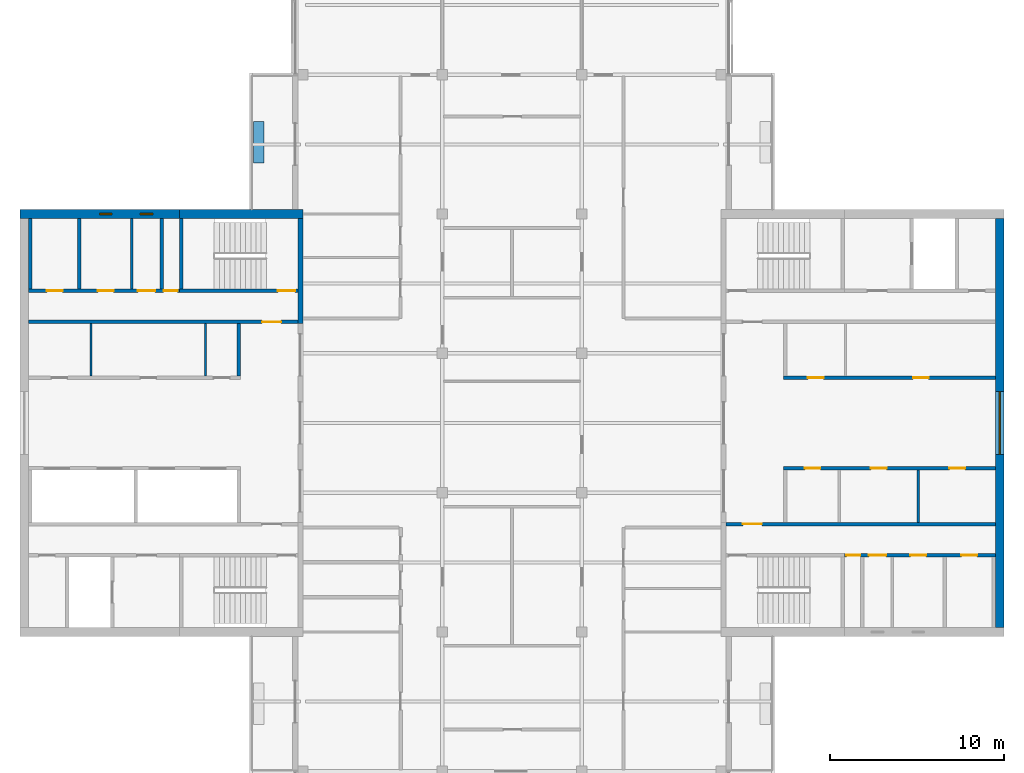
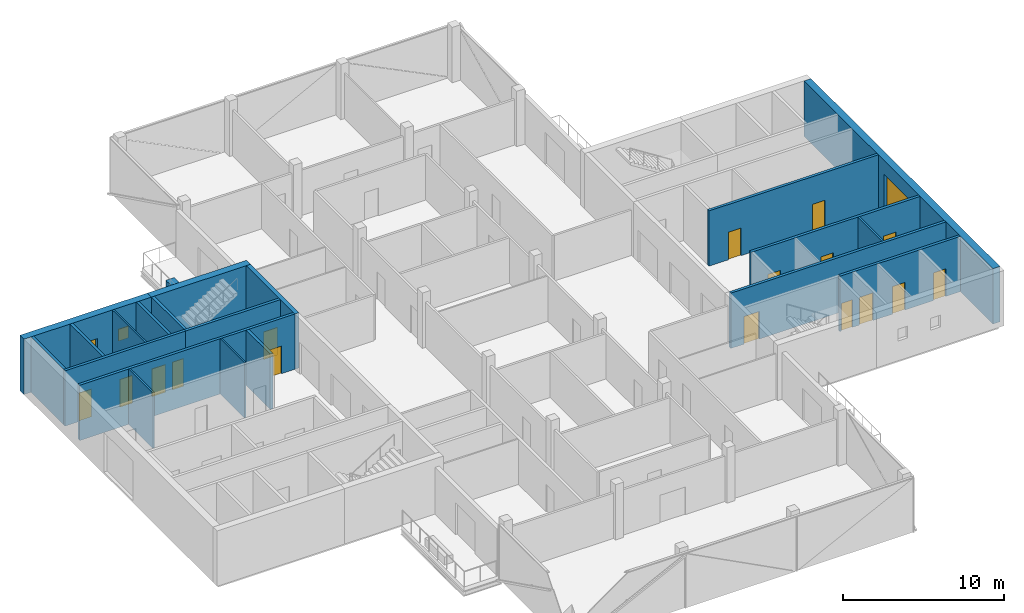
# One storey, part 7 of 12: 21 walls, 16 doors, 3 windows, 19 openings.
"""IFC4 building model written with IfcOpenShell, lengths in metres."""

from ifc_helpers import new_model, si_unit, direction, frame, frame_2d, origin, place, context, subcontext, project, spatial, rectangle, extrude, material, layer, layer_set, constituent, constituent_set, type_object, element, fill, save


model = new_model("IFC4")

# Units and contexts
model_context = context("Model", 3, precision=1e-05, world=origin(), true_north=direction((0.0, 1.0)))
body_context = subcontext(model_context, "Body", "Model", "MODEL_VIEW")
ifc_project = project(units=[si_unit("LENGTHUNIT", "METRE"), si_unit("AREAUNIT", "SQUARE_METRE"), si_unit("VOLUMEUNIT", "CUBIC_METRE"), si_unit("PLANEANGLEUNIT", "RADIAN"), si_unit("MASSUNIT", "GRAM", prefix="KILO")], contexts=[model_context])

# Site, building, storey
site_placement = place(None, origin())
site = spatial("IfcSite", under=ifc_project, at=site_placement, CompositionType="ELEMENT")
building_placement = place(site_placement, origin())
building = spatial("IfcBuilding", under=site, at=building_placement, Name="Crosswind Convention Tower", CompositionType="ELEMENT")
storey_placement = place(building_placement, frame((0.0, 0.0, 311.300048828125)))
storey = spatial("IfcBuildingStorey", under=building, at=storey_placement, Name="L67", CompositionType="ELEMENT", Elevation=311.300048828125)

# Walls
ifc_material_1 = material(Name="Concrete blockwork", Category="masonry")
ifc_layer_1 = layer(ifc_material_1, 0.199951171875)
ifc_layer_set_1 = layer_set([ifc_layer_1], Name="Blockwork partition wall 200")
wall_type_1 = type_object("IfcWallType", Name="Blockwork partition wall 200", PredefinedType="PARTITIONING", material=ifc_layer_set_1)
wall_1_placement = place(storey_placement, frame((104.89990234375, 111.75, 0.0), z_axis=(0.0, 0.0, 1.0), x_axis=(0.0, -1.0, 0.0)))
element("IfcWall", 1, at=wall_1_placement, inside=storey, type_object=wall_type_1, Name="Wall MRSE W L67", PredefinedType="PARTITIONING", context=body_context, shape_type="SweptSolid", body=[
    extrude(rectangle(XDim=4.050048828125, YDim=0.199951171875, at=frame_2d((2.02490234375, 0.0))), origin(), (0.0, 0.0, 1.0), 4.199951171875),
])
ifc_material_2 = material(Name="Concrete C50/60", Category="concrete")
ifc_layer_2 = layer(ifc_material_2, 0.300048828125)
ifc_layer_set_2 = layer_set([ifc_layer_2], Name="Concrete C50/60")
wall_type_2 = type_object("IfcWallType", Name="Concrete inner core wall 300", PredefinedType="SHEAR", material=ifc_layer_set_2)
wall_2_placement = place(storey_placement, frame((112.85009765625, 111.75, 0.0), z_axis=(0.0, 0.0, 1.0), x_axis=(0.0, -1.0, 0.0)))
element("IfcWall", 2, at=wall_2_placement, inside=storey, type_object=wall_type_2, Name="Wall EM W L67", PredefinedType="SHEAR", context=body_context, shape_type="SweptSolid", body=[
    extrude(rectangle(XDim=6.050048828125, YDim=0.300048828125, at=frame_2d((3.02490234375, 0.0))), origin(), (0.0, 0.0, 1.0), 4.199951171875),
])

# Wall, openings, doors
ifc_layer_3 = layer(ifc_material_2, 0.199951171875)
ifc_layer_set_3 = layer_set([ifc_layer_3], Name="Concrete C50/60")
wall_type_3 = type_object("IfcWallType", Name="Concrete shaft and stair wall 200", PredefinedType="SHEAR", material=ifc_layer_set_3)
wall_3_placement = place(storey_placement, frame((140.60009765625, 102.60009765625, 0.0), z_axis=(0.0, 0.0, 1.0), x_axis=(1.0, 0.0, 0.0)))
wall_3 = element("IfcWall", 3, at=wall_3_placement, inside=storey, type_object=wall_type_3, Name="Wall RPFRONT E L67", PredefinedType="SHEAR", context=body_context, shape_type="SweptSolid", body=[
    extrude(rectangle(XDim=12.14990234375, YDim=0.199951171875, at=frame_2d((6.074951171875, 0.0))), origin(), (0.0, 0.0, 1.0), 4.199951171875),
])
opening_1_placement = place(wall_3_placement, frame((1.391845703125, 0.0, 0.0)))
opening_1 = element("IfcOpeningElement", 4, at=opening_1_placement, cuts=wall_3, Name="Opening D106", PredefinedType="OPENING", context=body_context, shape_type="SweptSolid", body=[
    extrude(rectangle(XDim=0.89990234375, YDim=2.10009765625, at=frame_2d((0.449951171875, 1.050048828125))), frame((0.0, 0.10986328125, 0.0), z_axis=(0.0, -1.0, 0.0), x_axis=(1.0, 0.0, 0.0)), (0.0, 0.0, 1.0), 0.219970703125),
])
opening_2_placement = place(wall_3_placement, frame((7.42919921875, 0.0, 0.0)))
opening_2 = element("IfcOpeningElement", 5, at=opening_2_placement, cuts=wall_3, Name="Opening D106", PredefinedType="OPENING", context=body_context, shape_type="SweptSolid", body=[
    extrude(rectangle(XDim=0.89990234375, YDim=2.10009765625, at=frame_2d((0.449951171875, 1.050048828125))), frame((0.0, 0.10986328125, 0.0), z_axis=(0.0, -1.0, 0.0), x_axis=(1.0, 0.0, 0.0)), (0.0, 0.0, 1.0), 0.219970703125),
])
ifc_material_3 = material(Name="Timber door", Category="wood")
door_type_1 = type_object("IfcDoorType", Name="Single leaf door 900x2100", OperationType="NOTDEFINED", PredefinedType="DOOR", material=ifc_material_3)
door_1_placement = place(opening_1_placement, origin())
door_1 = element("IfcDoor", 6, at=door_1_placement, inside=storey, type_object=door_type_1, Name="Door to tenant services room L67", ObjectType="D106", OperationType="SINGLE_SWING_RIGHT", OverallHeight=2.10009765625, OverallWidth=0.89990234375, PredefinedType="DOOR", context=body_context, shape_type="SweptSolid", body=[
    extrude(rectangle(XDim=0.89990234375, YDim=2.10009765625, at=frame_2d((0.449951171875, 1.050048828125))), frame((0.0, 0.02490234375, 0.0), z_axis=(0.0, -1.0, 0.0), x_axis=(1.0, 0.0, 0.0)), (0.0, 0.0, 1.0), 0.050048828125),
])
fill(opening_1, door_1)
door_2_placement = place(opening_2_placement, origin())
door_2 = element("IfcDoor", 7, at=door_2_placement, inside=storey, type_object=door_type_1, Name="Door to copy and print room L67", ObjectType="D106", OperationType="SINGLE_SWING_RIGHT", OverallHeight=2.10009765625, OverallWidth=0.89990234375, PredefinedType="DOOR", context=body_context, shape_type="SweptSolid", body=[
    extrude(rectangle(XDim=0.89990234375, YDim=2.10009765625, at=frame_2d((0.449951171875, 1.050048828125))), frame((0.0, 0.02490234375, 0.0), z_axis=(0.0, -1.0, 0.0), x_axis=(1.0, 0.0, 0.0)), (0.0, 0.0, 1.0), 0.050048828125),
])
fill(opening_2, door_2)

wall_4_placement = place(storey_placement, frame((140.60009765625, 97.39990234375, 0.0), z_axis=(0.0, 0.0, 1.0), x_axis=(1.0, 0.0, 0.0)))
wall_4 = element("IfcWall", 8, at=wall_4_placement, inside=storey, type_object=wall_type_3, Name="Wall RMFRONT E L67", PredefinedType="SHEAR", context=body_context, shape_type="SweptSolid", body=[
    extrude(rectangle(XDim=12.14990234375, YDim=0.199951171875, at=frame_2d((6.074951171875, 0.0))), origin(), (0.0, 0.0, 1.0), 4.199951171875),
])
opening_3_placement = place(wall_4_placement, frame((1.21240234375, 0.0, 0.0)))
opening_3 = element("IfcOpeningElement", 9, at=opening_3_placement, cuts=wall_4, Name="Opening D106", PredefinedType="OPENING", context=body_context, shape_type="SweptSolid", body=[
    extrude(rectangle(XDim=0.89990234375, YDim=2.10009765625, at=frame_2d((0.449951171875, 1.050048828125))), frame((0.0, 0.10986328125, 0.0), z_axis=(0.0, -1.0, 0.0), x_axis=(1.0, 0.0, 0.0)), (0.0, 0.0, 1.0), 0.219970703125),
])
opening_4_placement = place(wall_4_placement, frame((5.008056640625, 0.0, 0.0)))
opening_4 = element("IfcOpeningElement", 10, at=opening_4_placement, cuts=wall_4, Name="Opening D106", PredefinedType="OPENING", context=body_context, shape_type="SweptSolid", body=[
    extrude(rectangle(XDim=0.89990234375, YDim=2.10009765625, at=frame_2d((0.449951171875, 1.050048828125))), frame((0.0, 0.10986328125, 0.0), z_axis=(0.0, -1.0, 0.0), x_axis=(1.0, 0.0, 0.0)), (0.0, 0.0, 1.0), 0.219970703125),
])
opening_5_placement = place(wall_4_placement, frame((9.5205078125, 0.0, 0.0)))
opening_5 = element("IfcOpeningElement", 11, at=opening_5_placement, cuts=wall_4, Name="Opening D106", PredefinedType="OPENING", context=body_context, shape_type="SweptSolid", body=[
    extrude(rectangle(XDim=0.89990234375, YDim=2.10009765625, at=frame_2d((0.449951171875, 1.050048828125))), frame((0.0, 0.10986328125, 0.0), z_axis=(0.0, -1.0, 0.0), x_axis=(1.0, 0.0, 0.0)), (0.0, 0.0, 1.0), 0.219970703125),
])
door_3_placement = place(opening_3_placement, frame((0.89990234375, 0.0, 0.0), z_axis=(0.0, 0.0, 1.0), x_axis=(-1.0, 0.0, 0.0)))
door_3 = element("IfcDoor", 12, at=door_3_placement, inside=storey, type_object=door_type_1, Name="Door to copy and print room L67", ObjectType="D106", OperationType="SINGLE_SWING_LEFT", OverallHeight=2.10009765625, OverallWidth=0.89990234375, PredefinedType="DOOR", context=body_context, shape_type="SweptSolid", body=[
    extrude(rectangle(XDim=0.89990234375, YDim=2.10009765625, at=frame_2d((0.449951171875, 1.050048828125))), frame((0.0, 0.02490234375, 0.0), z_axis=(0.0, -1.0, 0.0), x_axis=(1.0, 0.0, 0.0)), (0.0, 0.0, 1.0), 0.050048828125),
])
fill(opening_3, door_3)
door_4_placement = place(opening_4_placement, frame((0.89990234375, 0.0, 0.0), z_axis=(0.0, 0.0, 1.0), x_axis=(-1.0, 0.0, 0.0)))
door_4 = element("IfcDoor", 13, at=door_4_placement, inside=storey, type_object=door_type_1, Name="Door to meeting room L67", ObjectType="D106", OperationType="SINGLE_SWING_LEFT", OverallHeight=2.10009765625, OverallWidth=0.89990234375, PredefinedType="DOOR", context=body_context, shape_type="SweptSolid", body=[
    extrude(rectangle(XDim=0.89990234375, YDim=2.10009765625, at=frame_2d((0.449951171875, 1.050048828125))), frame((0.0, 0.02490234375, 0.0), z_axis=(0.0, -1.0, 0.0), x_axis=(1.0, 0.0, 0.0)), (0.0, 0.0, 1.0), 0.050048828125),
])
fill(opening_4, door_4)
door_5_placement = place(opening_5_placement, frame((0.89990234375, 0.0, 0.0), z_axis=(0.0, 0.0, 1.0), x_axis=(-1.0, 0.0, 0.0)))
door_5 = element("IfcDoor", 14, at=door_5_placement, inside=storey, type_object=door_type_1, Name="Door to pantry L67", ObjectType="D106", OperationType="SINGLE_SWING_LEFT", OverallHeight=2.10009765625, OverallWidth=0.89990234375, PredefinedType="DOOR", context=body_context, shape_type="SweptSolid", body=[
    extrude(rectangle(XDim=0.89990234375, YDim=2.10009765625, at=frame_2d((0.449951171875, 1.050048828125))), frame((0.0, 0.02490234375, 0.0), z_axis=(0.0, -1.0, 0.0), x_axis=(1.0, 0.0, 0.0)), (0.0, 0.0, 1.0), 0.050048828125),
])
fill(opening_5, door_5)

# Wall, opening, door
wall_5_placement = place(storey_placement, frame((137.300048828125, 94.199951171875, 0.0), z_axis=(0.0, 0.0, 1.0), x_axis=(1.0, 0.0, 0.0)))
wall_5 = element("IfcWall", 15, at=wall_5_placement, inside=storey, type_object=wall_type_3, Name="Wall HM E L67", PredefinedType="SHEAR", context=body_context, shape_type="SweptSolid", body=[
    extrude(rectangle(XDim=15.449951171875, YDim=0.199951171875, at=frame_2d((7.72509765625, 0.0))), origin(), (0.0, 0.0, 1.0), 4.199951171875),
])
opening_6_placement = place(wall_5_placement, frame((0.949951171875, 0.0, 0.0)))
opening_6 = element("IfcOpeningElement", 16, at=opening_6_placement, cuts=wall_5, Name="Opening D104", PredefinedType="OPENING", context=body_context, shape_type="SweptSolid", body=[
    extrude(rectangle(XDim=1.10009765625, YDim=2.10009765625, at=frame_2d((0.550048828125, 1.050048828125))), frame((0.0, 0.10986328125, 0.0), z_axis=(0.0, -1.0, 0.0), x_axis=(1.0, 0.0, 0.0)), (0.0, 0.0, 1.0), 0.219970703125),
])
ifc_material_4 = material(Name="Steel fire door", Category="steel")
door_type_2 = type_object("IfcDoorType", Name="Fire-rated single door 1100x2100", OperationType="NOTDEFINED", PredefinedType="DOOR", material=ifc_material_4)
door_6_placement = place(opening_6_placement, origin())
door_6 = element("IfcDoor", 17, at=door_6_placement, inside=storey, type_object=door_type_2, Name="Corridor door L67", ObjectType="D104", OperationType="SINGLE_SWING_LEFT", OverallHeight=2.10009765625, OverallWidth=1.10009765625, PredefinedType="DOOR", context=body_context, shape_type="SweptSolid", body=[
    extrude(rectangle(XDim=1.10009765625, YDim=2.10009765625, at=frame_2d((0.550048828125, 1.050048828125))), frame((0.0, 0.02490234375, 0.0), z_axis=(0.0, -1.0, 0.0), x_axis=(1.0, 0.0, 0.0)), (0.0, 0.0, 1.0), 0.050048828125),
])
fill(opening_6, door_6)

# Wall, openings, doors
wall_6_placement = place(storey_placement, frame((144.10009765625, 92.39990234375, 0.0), z_axis=(0.0, 0.0, 1.0), x_axis=(1.0, 0.0, 0.0)))
wall_6 = element("IfcWall", 18, at=wall_6_placement, inside=storey, type_object=wall_type_3, Name="Wall MCX E L67", PredefinedType="SHEAR", context=body_context, shape_type="SweptSolid", body=[
    extrude(rectangle(XDim=8.64990234375, YDim=0.199951171875, at=frame_2d((4.324951171875, 0.0))), origin(), (0.0, 0.0, 1.0), 4.199951171875),
])
opening_7_placement = place(wall_6_placement, frame((0.10009765625, 0.0, 0.0)))
opening_7 = element("IfcOpeningElement", 19, at=opening_7_placement, cuts=wall_6, Name="Opening D105", PredefinedType="OPENING", context=body_context, shape_type="SweptSolid", body=[
    extrude(rectangle(XDim=0.800048828125, YDim=2.10009765625, at=frame_2d((0.39990234375, 1.050048828125))), frame((0.0, 0.10986328125, 0.0), z_axis=(0.0, -1.0, 0.0), x_axis=(1.0, 0.0, 0.0)), (0.0, 0.0, 1.0), 0.219970703125),
])
opening_8_placement = place(wall_6_placement, frame((1.3876953125, 0.0, 0.0)))
opening_8 = element("IfcOpeningElement", 20, at=opening_8_placement, cuts=wall_6, Name="Opening D103", PredefinedType="OPENING", context=body_context, shape_type="SweptSolid", body=[
    extrude(rectangle(XDim=1.0, YDim=2.10009765625, at=frame_2d((0.5, 1.050048828125))), frame((0.0, 0.10986328125, 0.0), z_axis=(0.0, -1.0, 0.0), x_axis=(1.0, 0.0, 0.0)), (0.0, 0.0, 1.0), 0.219970703125),
])
opening_9_placement = place(wall_6_placement, frame((3.775146484375, 0.0, 0.0)))
opening_9 = element("IfcOpeningElement", 21, at=opening_9_placement, cuts=wall_6, Name="Opening D106", PredefinedType="OPENING", context=body_context, shape_type="SweptSolid", body=[
    extrude(rectangle(XDim=0.89990234375, YDim=2.10009765625, at=frame_2d((0.449951171875, 1.050048828125))), frame((0.0, 0.10986328125, 0.0), z_axis=(0.0, -1.0, 0.0), x_axis=(1.0, 0.0, 0.0)), (0.0, 0.0, 1.0), 0.219970703125),
])
opening_10_placement = place(wall_6_placement, frame((6.699951171875, 0.0, 0.0)))
opening_10 = element("IfcOpeningElement", 22, at=opening_10_placement, cuts=wall_6, Name="Opening D106", PredefinedType="OPENING", context=body_context, shape_type="SweptSolid", body=[
    extrude(rectangle(XDim=0.89990234375, YDim=2.10009765625, at=frame_2d((0.449951171875, 1.050048828125))), frame((0.0, 0.10986328125, 0.0), z_axis=(0.0, -1.0, 0.0), x_axis=(1.0, 0.0, 0.0)), (0.0, 0.0, 1.0), 0.219970703125),
])
door_type_3 = type_object("IfcDoorType", Name="Fire-rated single door 1000x2100", OperationType="NOTDEFINED", PredefinedType="DOOR", material=ifc_material_4)
door_7_placement = place(opening_8_placement, frame((1.0, 0.0, 0.0), z_axis=(0.0, 0.0, 1.0), x_axis=(-1.0, 0.0, 0.0)))
door_7 = element("IfcDoor", 23, at=door_7_placement, inside=storey, type_object=door_type_3, Name="Door to accessible wc L67", ObjectType="D103", OperationType="SINGLE_SWING_LEFT", OverallHeight=2.10009765625, OverallWidth=1.0, PredefinedType="DOOR", context=body_context, shape_type="SweptSolid", body=[
    extrude(rectangle(XDim=1.0, YDim=2.10009765625, at=frame_2d((0.5, 1.050048828125))), frame((0.0, 0.02490234375, 0.0), z_axis=(0.0, -1.0, 0.0), x_axis=(1.0, 0.0, 0.0)), (0.0, 0.0, 1.0), 0.050048828125),
])
fill(opening_8, door_7)
door_type_4 = type_object("IfcDoorType", Name="Riser access door 800x2100", OperationType="NOTDEFINED", PredefinedType="DOOR", material=ifc_material_4)
door_8_placement = place(opening_7_placement, frame((0.800048828125, 0.0, 0.0), z_axis=(0.0, 0.0, 1.0), x_axis=(-1.0, 0.0, 0.0)))
door_8 = element("IfcDoor", 24, at=door_8_placement, inside=storey, type_object=door_type_4, Name="Riser door L67", ObjectType="D105", OperationType="SINGLE_SWING_LEFT", OverallHeight=2.10009765625, OverallWidth=0.800048828125, PredefinedType="DOOR", context=body_context, shape_type="SweptSolid", body=[
    extrude(rectangle(XDim=0.800048828125, YDim=2.10009765625, at=frame_2d((0.39990234375, 1.050048828125))), frame((0.0, 0.02490234375, 0.0), z_axis=(0.0, -1.0, 0.0), x_axis=(1.0, 0.0, 0.0)), (0.0, 0.0, 1.0), 0.050048828125),
])
fill(opening_7, door_8)
door_9_placement = place(opening_9_placement, frame((0.89990234375, 0.0, 0.0), z_axis=(0.0, 0.0, 1.0), x_axis=(-1.0, 0.0, 0.0)))
door_9 = element("IfcDoor", 25, at=door_9_placement, inside=storey, type_object=door_type_1, Name="Door to wc L67", ObjectType="D106", OperationType="SINGLE_SWING_LEFT", OverallHeight=2.10009765625, OverallWidth=0.89990234375, PredefinedType="DOOR", context=body_context, shape_type="SweptSolid", body=[
    extrude(rectangle(XDim=0.89990234375, YDim=2.10009765625, at=frame_2d((0.449951171875, 1.050048828125))), frame((0.0, 0.02490234375, 0.0), z_axis=(0.0, -1.0, 0.0), x_axis=(1.0, 0.0, 0.0)), (0.0, 0.0, 1.0), 0.050048828125),
])
fill(opening_9, door_9)
door_10_placement = place(opening_10_placement, frame((0.89990234375, 0.0, 0.0), z_axis=(0.0, 0.0, 1.0), x_axis=(-1.0, 0.0, 0.0)))
door_10 = element("IfcDoor", 26, at=door_10_placement, inside=storey, type_object=door_type_1, Name="Door to wc L67", ObjectType="D106", OperationType="SINGLE_SWING_LEFT", OverallHeight=2.10009765625, OverallWidth=0.89990234375, PredefinedType="DOOR", context=body_context, shape_type="SweptSolid", body=[
    extrude(rectangle(XDim=0.89990234375, YDim=2.10009765625, at=frame_2d((0.449951171875, 1.050048828125))), frame((0.0, 0.02490234375, 0.0), z_axis=(0.0, -1.0, 0.0), x_axis=(1.0, 0.0, 0.0)), (0.0, 0.0, 1.0), 0.050048828125),
])
fill(opening_10, door_10)

# Wall
wall_7_placement = place(storey_placement, frame((109.300048828125, 105.699951171875, 0.0), z_axis=(0.0, 0.0, 1.0), x_axis=(0.0, -1.0, 0.0)))
element("IfcWall", 27, at=wall_7_placement, inside=storey, type_object=wall_type_3, Name="Wall RMEND W L67", PredefinedType="SHEAR", context=body_context, shape_type="SweptSolid", body=[
    extrude(rectangle(XDim=3.0, YDim=0.199951171875, at=frame_2d((1.5, 0.0))), origin(), (0.0, 0.0, 1.0), 4.199951171875),
])

# Wall, opening, door
wall_8_placement = place(storey_placement, frame((112.699951171875, 105.800048828125, 0.0), z_axis=(0.0, 0.0, 1.0), x_axis=(-1.0, 0.0, 0.0)))
wall_8 = element("IfcWall", 28, at=wall_8_placement, inside=storey, type_object=wall_type_3, Name="Wall HM W L67", PredefinedType="SHEAR", context=body_context, shape_type="SweptSolid", body=[
    extrude(rectangle(XDim=15.449951171875, YDim=0.199951171875, at=frame_2d((7.72509765625, 0.0))), origin(), (0.0, 0.0, 1.0), 4.199951171875),
])
opening_11_placement = place(wall_8_placement, frame((0.949951171875, 0.0, 0.0)))
opening_11 = element("IfcOpeningElement", 29, at=opening_11_placement, cuts=wall_8, Name="Opening D104", PredefinedType="OPENING", context=body_context, shape_type="SweptSolid", body=[
    extrude(rectangle(XDim=1.10009765625, YDim=2.10009765625, at=frame_2d((0.550048828125, 1.050048828125))), frame((0.0, 0.10986328125, 0.0), z_axis=(0.0, -1.0, 0.0), x_axis=(1.0, 0.0, 0.0)), (0.0, 0.0, 1.0), 0.219970703125),
])
door_11_placement = place(opening_11_placement, origin())
door_11 = element("IfcDoor", 30, at=door_11_placement, inside=storey, type_object=door_type_2, Name="Corridor door L67", ObjectType="D104", OperationType="SINGLE_SWING_LEFT", OverallHeight=2.10009765625, OverallWidth=1.10009765625, PredefinedType="DOOR", context=body_context, shape_type="SweptSolid", body=[
    extrude(rectangle(XDim=1.10009765625, YDim=2.10009765625, at=frame_2d((0.550048828125, 1.050048828125))), frame((0.0, 0.02490234375, 0.0), z_axis=(0.0, -1.0, 0.0), x_axis=(1.0, 0.0, 0.0)), (0.0, 0.0, 1.0), 0.050048828125),
])
fill(opening_11, door_11)

# Walls
for number, where, z_axis, x_axis, name in (
    (31, (106.0, 111.75, 0.0), (0.0, 0.0, 1.0), (0.0, -1.0, 0.0), "Wall MSE W L67"),
    (32, (100.14990234375, 111.75, 0.0), (0.0, 0.0, 1.0), (0.0, -1.0, 0.0), "Wall MFSW W L67"),
    (33, (97.35009765625, 111.75, 0.0), (0.0, 0.0, 1.0), (0.0, -1.0, 0.0), "Wall MFSE W L67"),
):
    element("IfcWall", number, at=place(storey_placement, frame(where, z_axis=z_axis, x_axis=x_axis)), inside=storey, type_object=wall_type_3, Name=name, PredefinedType="SHEAR", context=body_context, shape_type="SweptSolid", body=[
        extrude(rectangle(XDim=4.050048828125, YDim=0.199951171875, at=frame_2d((2.02490234375, 0.0))), origin(), (0.0, 0.0, 1.0), 4.199951171875),
    ])

# Wall, opening, door
wall_9_placement = place(storey_placement, frame((112.699951171875, 107.60009765625, 0.0), z_axis=(0.0, 0.0, 1.0), x_axis=(-1.0, 0.0, 0.0)))
wall_9 = element("IfcWall", 34, at=wall_9_placement, inside=storey, type_object=wall_type_3, Name="Wall MCW W L67", PredefinedType="SHEAR", context=body_context, shape_type="SweptSolid", body=[
    extrude(rectangle(XDim=6.800048828125, YDim=0.199951171875, at=frame_2d((3.39990234375, 0.0))), origin(), (0.0, 0.0, 1.0), 4.199951171875),
])
opening_12_placement = place(wall_9_placement, frame((0.14990234375, 0.0, 0.0)))
opening_12 = element("IfcOpeningElement", 35, at=opening_12_placement, cuts=wall_9, Name="Opening D103", PredefinedType="OPENING", context=body_context, shape_type="SweptSolid", body=[
    extrude(rectangle(XDim=1.0, YDim=2.10009765625, at=frame_2d((0.5, 1.050048828125))), frame((0.0, 0.10986328125, 0.0), z_axis=(0.0, -1.0, 0.0), x_axis=(1.0, 0.0, 0.0)), (0.0, 0.0, 1.0), 0.219970703125),
])
door_12_placement = place(opening_12_placement, frame((1.0, 0.0, 0.0), z_axis=(0.0, 0.0, 1.0), x_axis=(-1.0, 0.0, 0.0)))
door_12 = element("IfcDoor", 36, at=door_12_placement, inside=storey, type_object=door_type_3, Name="Stair ST4 door L67", ObjectType="D103", OperationType="SINGLE_SWING_RIGHT", OverallHeight=2.10009765625, OverallWidth=1.0, PredefinedType="DOOR", context=body_context, shape_type="SweptSolid", body=[
    extrude(rectangle(XDim=1.0, YDim=2.10009765625, at=frame_2d((0.5, 1.050048828125))), frame((0.0, 0.02490234375, 0.0), z_axis=(0.0, -1.0, 0.0), x_axis=(1.0, 0.0, 0.0)), (0.0, 0.0, 1.0), 0.050048828125),
])
fill(opening_12, door_12)

# Wall, openings, doors
wall_10_placement = place(storey_placement, frame((105.89990234375, 107.60009765625, 0.0), z_axis=(0.0, 0.0, 1.0), x_axis=(-1.0, 0.0, 0.0)))
wall_10 = element("IfcWall", 37, at=wall_10_placement, inside=storey, type_object=wall_type_3, Name="Wall MCX W L67", PredefinedType="SHEAR", context=body_context, shape_type="SweptSolid", body=[
    extrude(rectangle(XDim=8.64990234375, YDim=0.199951171875, at=frame_2d((4.324951171875, 0.0))), origin(), (0.0, 0.0, 1.0), 4.199951171875),
])
opening_13_placement = place(wall_10_placement, frame((0.10009765625, 0.0, 0.0)))
opening_13 = element("IfcOpeningElement", 38, at=opening_13_placement, cuts=wall_10, Name="Opening D105", PredefinedType="OPENING", context=body_context, shape_type="SweptSolid", body=[
    extrude(rectangle(XDim=0.800048828125, YDim=2.10009765625, at=frame_2d((0.39990234375, 1.050048828125))), frame((0.0, 0.10986328125, 0.0), z_axis=(0.0, -1.0, 0.0), x_axis=(1.0, 0.0, 0.0)), (0.0, 0.0, 1.0), 0.219970703125),
])
opening_14_placement = place(wall_10_placement, frame((1.3876953125, 0.0, 0.0)))
opening_14 = element("IfcOpeningElement", 39, at=opening_14_placement, cuts=wall_10, Name="Opening D103", PredefinedType="OPENING", context=body_context, shape_type="SweptSolid", body=[
    extrude(rectangle(XDim=1.0, YDim=2.10009765625, at=frame_2d((0.5, 1.050048828125))), frame((0.0, 0.10986328125, 0.0), z_axis=(0.0, -1.0, 0.0), x_axis=(1.0, 0.0, 0.0)), (0.0, 0.0, 1.0), 0.219970703125),
])
opening_15_placement = place(wall_10_placement, frame((3.775146484375, 0.0, 0.0)))
opening_15 = element("IfcOpeningElement", 40, at=opening_15_placement, cuts=wall_10, Name="Opening D106", PredefinedType="OPENING", context=body_context, shape_type="SweptSolid", body=[
    extrude(rectangle(XDim=0.89990234375, YDim=2.10009765625, at=frame_2d((0.449951171875, 1.050048828125))), frame((0.0, 0.10986328125, 0.0), z_axis=(0.0, -1.0, 0.0), x_axis=(1.0, 0.0, 0.0)), (0.0, 0.0, 1.0), 0.219970703125),
])
opening_16_placement = place(wall_10_placement, frame((6.699951171875, 0.0, 0.0)))
opening_16 = element("IfcOpeningElement", 41, at=opening_16_placement, cuts=wall_10, Name="Opening D106", PredefinedType="OPENING", context=body_context, shape_type="SweptSolid", body=[
    extrude(rectangle(XDim=0.89990234375, YDim=2.10009765625, at=frame_2d((0.449951171875, 1.050048828125))), frame((0.0, 0.10986328125, 0.0), z_axis=(0.0, -1.0, 0.0), x_axis=(1.0, 0.0, 0.0)), (0.0, 0.0, 1.0), 0.219970703125),
])
door_13_placement = place(opening_14_placement, frame((1.0, 0.0, 0.0), z_axis=(0.0, 0.0, 1.0), x_axis=(-1.0, 0.0, 0.0)))
door_13 = element("IfcDoor", 42, at=door_13_placement, inside=storey, type_object=door_type_3, Name="Door to accessible wc L67", ObjectType="D103", OperationType="SINGLE_SWING_LEFT", OverallHeight=2.10009765625, OverallWidth=1.0, PredefinedType="DOOR", context=body_context, shape_type="SweptSolid", body=[
    extrude(rectangle(XDim=1.0, YDim=2.10009765625, at=frame_2d((0.5, 1.050048828125))), frame((0.0, 0.02490234375, 0.0), z_axis=(0.0, -1.0, 0.0), x_axis=(1.0, 0.0, 0.0)), (0.0, 0.0, 1.0), 0.050048828125),
])
fill(opening_14, door_13)
door_14_placement = place(opening_13_placement, frame((0.800048828125, 0.0, 0.0), z_axis=(0.0, 0.0, 1.0), x_axis=(-1.0, 0.0, 0.0)))
door_14 = element("IfcDoor", 43, at=door_14_placement, inside=storey, type_object=door_type_4, Name="Riser door L67", ObjectType="D105", OperationType="SINGLE_SWING_LEFT", OverallHeight=2.10009765625, OverallWidth=0.800048828125, PredefinedType="DOOR", context=body_context, shape_type="SweptSolid", body=[
    extrude(rectangle(XDim=0.800048828125, YDim=2.10009765625, at=frame_2d((0.39990234375, 1.050048828125))), frame((0.0, 0.02490234375, 0.0), z_axis=(0.0, -1.0, 0.0), x_axis=(1.0, 0.0, 0.0)), (0.0, 0.0, 1.0), 0.050048828125),
])
fill(opening_13, door_14)
door_15_placement = place(opening_15_placement, frame((0.89990234375, 0.0, 0.0), z_axis=(0.0, 0.0, 1.0), x_axis=(-1.0, 0.0, 0.0)))
door_15 = element("IfcDoor", 44, at=door_15_placement, inside=storey, type_object=door_type_1, Name="Door to wc L67", ObjectType="D106", OperationType="SINGLE_SWING_LEFT", OverallHeight=2.10009765625, OverallWidth=0.89990234375, PredefinedType="DOOR", context=body_context, shape_type="SweptSolid", body=[
    extrude(rectangle(XDim=0.89990234375, YDim=2.10009765625, at=frame_2d((0.449951171875, 1.050048828125))), frame((0.0, 0.02490234375, 0.0), z_axis=(0.0, -1.0, 0.0), x_axis=(1.0, 0.0, 0.0)), (0.0, 0.0, 1.0), 0.050048828125),
])
fill(opening_15, door_15)
door_16_placement = place(opening_16_placement, frame((0.89990234375, 0.0, 0.0), z_axis=(0.0, 0.0, 1.0), x_axis=(-1.0, 0.0, 0.0)))
door_16 = element("IfcDoor", 45, at=door_16_placement, inside=storey, type_object=door_type_1, Name="Door to wc L67", ObjectType="D106", OperationType="SINGLE_SWING_LEFT", OverallHeight=2.10009765625, OverallWidth=0.89990234375, PredefinedType="DOOR", context=body_context, shape_type="SweptSolid", body=[
    extrude(rectangle(XDim=0.89990234375, YDim=2.10009765625, at=frame_2d((0.449951171875, 1.050048828125))), frame((0.0, 0.02490234375, 0.0), z_axis=(0.0, -1.0, 0.0), x_axis=(1.0, 0.0, 0.0)), (0.0, 0.0, 1.0), 0.050048828125),
])
fill(opening_16, door_16)

# Walls
ifc_material_5 = material(Name="Gypsum plasterboard partition", Category="gypsum")
ifc_layer_4 = layer(ifc_material_5, 0.125)
ifc_layer_set_4 = layer_set([ifc_layer_4], Name="Drywall partition wall 125")
wall_type_4 = type_object("IfcWallType", Name="Drywall partition wall 125", PredefinedType="PARTITIONING", material=ifc_layer_set_4)
for number, where, z_axis, x_axis, name in (
    (46, (148.32861328125, 94.300048828125, 0.0), (0.0, 0.0, 1.0), (0.0, 1.0, 0.0), "Wall RMP2 E L67"),
    (47, (107.407470703125, 105.699951171875, 0.0), (0.0, 0.0, 1.0), (0.0, -1.0, 0.0), "Wall RMP1 W L67"),
    (48, (100.8349609375, 105.699951171875, 0.0), (0.0, 0.0, 1.0), (0.0, -1.0, 0.0), "Wall RMP2 W L67"),
):
    element("IfcWall", number, at=place(storey_placement, frame(where, z_axis=z_axis, x_axis=x_axis)), inside=storey, type_object=wall_type_4, Name=name, PredefinedType="PARTITIONING", context=body_context, shape_type="SweptSolid", body=[
        extrude(rectangle(XDim=3.0, YDim=0.125, at=frame_2d((1.5, 0.0))), origin(), (0.0, 0.0, 1.0), 4.199951171875),
    ])
wall_11_placement = place(storey_placement, frame((103.162109375, 111.75, 0.0), z_axis=(0.0, 0.0, 1.0), x_axis=(0.0, -1.0, 0.0)))
element("IfcWall", 49, at=wall_11_placement, inside=storey, type_object=wall_type_4, Name="Wall MWP1 W L67", PredefinedType="PARTITIONING", context=body_context, shape_type="SweptSolid", body=[
    extrude(rectangle(XDim=4.050048828125, YDim=0.125, at=frame_2d((2.02490234375, 0.0))), origin(), (0.0, 0.0, 1.0), 4.199951171875),
])
ifc_material_6 = material(Name="Concrete C30/37", Category="concrete")
ifc_layer_5 = layer(ifc_material_6, 0.60009765625)
ifc_layer_set_5 = layer_set([ifc_layer_5], Name="Concrete C30/37")
wall_type_5 = type_object("IfcWallType", Name="PLANTER BOX WALL 600", PredefinedType="SOLIDWALL", material=ifc_layer_set_5)
wall_12_placement = place(storey_placement, frame((110.449951171875, 117.324951171875, 0.0), z_axis=(0.0, 0.0, 1.0), x_axis=(0.0, -1.0, 0.0)))
element("IfcWall", 50, at=wall_12_placement, inside=storey, type_object=wall_type_5, Name="PLANTER L67 N-W.1-2", PredefinedType="SOLIDWALL", context=body_context, shape_type="SweptSolid", body=[
    extrude(rectangle(XDim=2.39990234375, YDim=0.60009765625, at=frame_2d((1.199951171875, 0.0))), origin(), (0.0, 0.0, 1.0), 0.599853515625),
])

# Wall, opening, window
ifc_material_7 = material(Name="Concrete C60/75", Category="concrete")
ifc_constituent_1 = constituent(ifc_material_7, Name="Structure")
ifc_material_8 = material(Name="Terracotta rainscreen", Category="ceramic")
ifc_constituent_2 = constituent(ifc_material_8, Name="Facing")
ifc_constituent_set = constituent_set(constituents=[ifc_constituent_1, ifc_constituent_2], Name="Concrete C60/75, Terracotta rainscreen")
wall_type_6 = type_object("IfcWallType", Name="Terracotta rainscreen on concrete core wall 500", PredefinedType="SHEAR", material=ifc_constituent_set)
wall_13_placement = place(storey_placement, frame((153.0, 88.25, 0.0), z_axis=(0.0, 0.0, 1.0), x_axis=(0.0, 1.0, 0.0)))
wall_13 = element("IfcWall", 51, at=wall_13_placement, inside=storey, type_object=wall_type_6, Name="Wall O E L67", PredefinedType="SHEAR", context=body_context, shape_type="SweptSolid", body=[
    extrude(rectangle(XDim=23.5, YDim=0.5, at=frame_2d((11.75, 0.0))), origin(), (0.0, 0.0, 1.0), 4.199951171875),
])
opening_17_placement = place(wall_13_placement, frame((9.949951171875, 0.0, 0.14990234375)))
opening_17 = element("IfcOpeningElement", 52, at=opening_17_placement, cuts=wall_13, Name="Opening W1", PredefinedType="OPENING", context=body_context, shape_type="SweptSolid", body=[
    extrude(rectangle(XDim=3.60009765625, YDim=3.0, at=frame_2d((1.800048828125, 1.5))), frame((0.0, 0.260009765625, 0.0), z_axis=(0.0, -1.0, 0.0), x_axis=(1.0, 0.0, 0.0)), (0.0, 0.0, 1.0), 0.52001953125),
])
ifc_material_9 = material(Name="Clear laminated glass in aluminium frame", Category="aluminium")
window_type_1 = type_object("IfcWindowType", Name="Lobby end window 3600x3000", PartitioningType="SINGLE_PANEL", PredefinedType="WINDOW", material=ifc_material_9)
window_1_placement = place(opening_17_placement, origin())
window_1 = element("IfcWindow", 53, at=window_1_placement, inside=storey, type_object=window_type_1, Name="Lobby end window L67", ObjectType="W1", OverallHeight=3.0, OverallWidth=3.60009765625, PartitioningType="SINGLE_PANEL", PredefinedType="WINDOW", context=body_context, shape_type="SweptSolid", body=[
    extrude(rectangle(XDim=3.60009765625, YDim=3.0, at=frame_2d((1.800048828125, 1.5))), frame((0.0, 0.030029296875, 0.0), z_axis=(0.0, -1.0, 0.0), x_axis=(1.0, 0.0, 0.0)), (0.0, 0.0, 1.0), 0.06005859375),
])
fill(opening_17, window_1)

# Wall
wall_14_placement = place(storey_placement, frame((113.0, 112.0, 0.0), z_axis=(0.0, 0.0, 1.0), x_axis=(-1.0, 0.0, 0.0)))
element("IfcWall", 54, at=wall_14_placement, inside=storey, type_object=wall_type_6, Name="Wall S1 W L67", PredefinedType="SHEAR", context=body_context, shape_type="SweptSolid", body=[
    extrude(rectangle(XDim=7.10009765625, YDim=0.5, at=frame_2d((3.550048828125, 0.0))), origin(), (0.0, 0.0, 1.0), 4.199951171875),
])

# Wall, openings, windows
wall_15_placement = place(storey_placement, frame((105.89990234375, 112.0, 0.0), z_axis=(0.0, 0.0, 1.0), x_axis=(-1.0, 0.0, 0.0)))
wall_15 = element("IfcWall", 55, at=wall_15_placement, inside=storey, type_object=wall_type_6, Name="Wall S2 W L67", PredefinedType="SHEAR", context=body_context, shape_type="SweptSolid", body=[
    extrude(rectangle(XDim=9.14990234375, YDim=0.5, at=frame_2d((4.574951171875, 0.0))), origin(), (0.0, 0.0, 1.0), 4.199951171875),
])
opening_18_placement = place(wall_15_placement, frame((1.537841796875, 0.0, 1.5)))
opening_18 = element("IfcOpeningElement", 56, at=opening_18_placement, cuts=wall_15, Name="Opening W2", PredefinedType="OPENING", context=body_context, shape_type="SweptSolid", body=[
    extrude(rectangle(XDim=0.699951171875, YDim=0.89990234375, at=frame_2d((0.35009765625, 0.449951171875))), frame((0.0, 0.260009765625, 0.0), z_axis=(0.0, -1.0, 0.0), x_axis=(1.0, 0.0, 0.0)), (0.0, 0.0, 1.0), 0.52001953125),
])
opening_19_placement = place(wall_15_placement, frame((3.875244140625, 0.0, 1.5)))
opening_19 = element("IfcOpeningElement", 57, at=opening_19_placement, cuts=wall_15, Name="Opening W2", PredefinedType="OPENING", context=body_context, shape_type="SweptSolid", body=[
    extrude(rectangle(XDim=0.699951171875, YDim=0.89990234375, at=frame_2d((0.35009765625, 0.449951171875))), frame((0.0, 0.260009765625, 0.0), z_axis=(0.0, -1.0, 0.0), x_axis=(1.0, 0.0, 0.0)), (0.0, 0.0, 1.0), 0.52001953125),
])
ifc_material_10 = material(Name="Obscure glass in aluminium frame", Category="aluminium")
window_type_2 = type_object("IfcWindowType", Name="WC window 700x900", PartitioningType="SINGLE_PANEL", PredefinedType="WINDOW", material=ifc_material_10)
window_2_placement = place(opening_18_placement, origin())
window_2 = element("IfcWindow", 58, at=window_2_placement, inside=storey, type_object=window_type_2, Name="WC window L67", ObjectType="W2", OverallHeight=0.89990234375, OverallWidth=0.699951171875, PartitioningType="SINGLE_PANEL", PredefinedType="WINDOW", context=body_context, shape_type="SweptSolid", body=[
    extrude(rectangle(XDim=0.699951171875, YDim=0.89990234375, at=frame_2d((0.35009765625, 0.449951171875))), frame((0.0, 0.030029296875, 0.0), z_axis=(0.0, -1.0, 0.0), x_axis=(1.0, 0.0, 0.0)), (0.0, 0.0, 1.0), 0.06005859375),
])
fill(opening_18, window_2)
window_3_placement = place(opening_19_placement, origin())
window_3 = element("IfcWindow", 59, at=window_3_placement, inside=storey, type_object=window_type_2, Name="WC window L67", ObjectType="W2", OverallHeight=0.89990234375, OverallWidth=0.699951171875, PartitioningType="SINGLE_PANEL", PredefinedType="WINDOW", context=body_context, shape_type="SweptSolid", body=[
    extrude(rectangle(XDim=0.699951171875, YDim=0.89990234375, at=frame_2d((0.35009765625, 0.449951171875))), frame((0.0, 0.030029296875, 0.0), z_axis=(0.0, -1.0, 0.0), x_axis=(1.0, 0.0, 0.0)), (0.0, 0.0, 1.0), 0.06005859375),
])
fill(opening_19, window_3)

save(model, "model.ifc")
